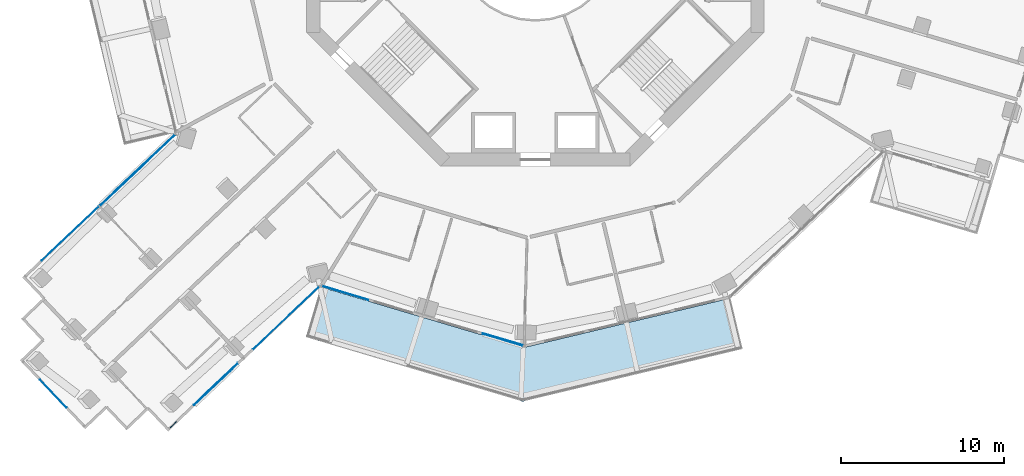
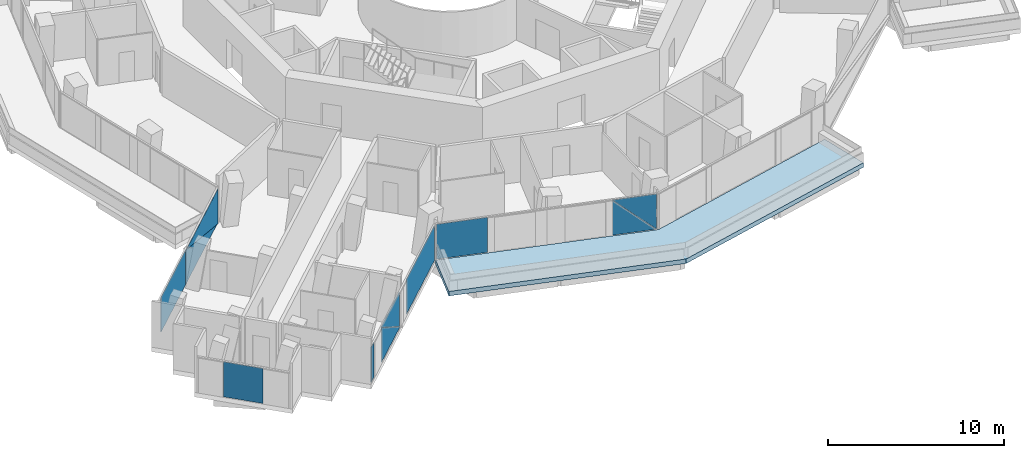
# One storey, part 13 of 27: 11 plates, 1 slab, 4 elements without a shape of their own.
"""IFC4 building model written with IfcOpenShell, lengths in metres."""

from ifc_helpers import new_model, si_unit, direction, frame, origin, origin_2d, place, context, subcontext, project, spatial, polyline, rectangle, outline, extrude, material, layer, layer_set, type_object, element, aggregate, save


model = new_model("IFC4")

# Units and contexts
model_context = context("Model", 3, precision=1e-05, world=origin(), true_north=direction((0.0, 1.0)))
body_context = subcontext(model_context, "Body", "Model", "MODEL_VIEW")
ifc_project = project(units=[si_unit("LENGTHUNIT", "METRE"), si_unit("AREAUNIT", "SQUARE_METRE"), si_unit("VOLUMEUNIT", "CUBIC_METRE"), si_unit("PLANEANGLEUNIT", "RADIAN"), si_unit("MASSUNIT", "GRAM", prefix="KILO")], contexts=[model_context])

# Site, building, storey
site_placement = place(None, origin())
site = spatial("IfcSite", under=ifc_project, at=site_placement, CompositionType="ELEMENT")
building_placement = place(site_placement, origin())
building = spatial("IfcBuilding", under=site, at=building_placement, Name="Verdalira Terraces Hotel", CompositionType="ELEMENT")
storey_placement = place(building_placement, frame((0.0, 0.0, 89.5)))
storey = spatial("IfcBuildingStorey", under=building, at=storey_placement, Name="L20", CompositionType="ELEMENT", Elevation=89.5)

# Slab
ifc_material_1 = material(Name="Precast concrete C40/50", Category="concrete")
ifc_layer_1 = layer(ifc_material_1, 0.31005859375)
ifc_layer_set_1 = layer_set([ifc_layer_1], Name="Balcony deck 310")
slab_type = type_object("IfcSlabType", Name="Balcony deck 310", PredefinedType="FLOOR", material=ifc_layer_set_1)
slab_placement = place(storey_placement, frame((0.0, 0.0, -0.310059)))
element("IfcSlab", 1, at=slab_placement, inside=storey, type_object=slab_type, Name="Balcony deck", PredefinedType="FLOOR", context=body_context, shape_type="SweptSolid", body=[
    extrude(outline(polyline([(-0.773926, -28.416504), (12.704102, -25.195557), (11.960205, -22.083252), (-0.683594, -25.104736), (-13.144531, -21.399414), (-14.056641, -24.466797), (-0.773926, -28.416504)])), origin(), (0.0, 0.0, 1.0), 0.310059),
])

# Curtain wall, plates
ifc_material_2 = material(Name="Clear glass", Category="glass")
ifc_layer_2 = layer(ifc_material_2, 0.14990234375)
ifc_layer_set_2 = layer_set([ifc_layer_2], Name="CW1 curtain wall")
curtain_wall_type_1 = type_object("IfcCurtainWallType", Name="CW1 curtain wall", PredefinedType="NOTDEFINED", material=ifc_layer_set_2)
curtain_wall_1_placement = place(storey_placement, origin())
curtain_wall_1 = element("IfcCurtainWall", 2, at=curtain_wall_1_placement, inside=storey, type_object=curtain_wall_type_1, Name="CW1 curtain wall L20 edge 25", PredefinedType="NOTDEFINED")
ifc_material_3 = material(Name="Clear glass", Category="glass")
ifc_layer_3 = layer(ifc_material_3, 0.028076171875)
ifc_layer_set_3 = layer_set([ifc_layer_3], Name="CW1 glass unit 28")
plate_type_1 = type_object("IfcPlateType", Name="CW1 glass unit 28", PredefinedType="CURTAIN_PANEL", material=ifc_layer_set_3)
plate_1_placement = place(storey_placement, frame((-11.644531, -21.767334, 0.0), z_axis=(0.0, 0.0, 1.0), x_axis=(0.958521789, -0.285019262, 0.0)))
plate_1 = element("IfcPlate", 3, at=plate_1_placement, type_object=plate_type_1, Name="CW1 glass unit", PredefinedType="CURTAIN_PANEL", context=body_context, shape_type="SweptSolid", body=[
    extrude(rectangle(XDim=2.965088, YDim=0.028076, at=origin_2d()), origin(), (0.0, 0.0, 1.0), 2.425049),
])
plate_2_placement = place(storey_placement, frame((-1.983398, -24.625488, 1.212402), z_axis=(-0.285019262, -0.958521789, 0.0), x_axis=(0.958521789, -0.285019262, 0.0)))
plate_2 = element("IfcPlate", 4, at=plate_2_placement, type_object=plate_type_1, Name="CW1 glass unit", PredefinedType="CURTAIN_PANEL", context=body_context, shape_type="SweptSolid", body=[
    extrude(outline(polyline([(-1.282227, -1.212402), (1.282227, -1.212402), (-1.282227, 1.212402), (-1.282227, -1.212402)])), origin(), (0.0, 0.0, 1.0), 0.028076),
])
plate_3_placement = place(storey_placement, frame((-1.975098, -24.597656, 1.212402), z_axis=(-0.285019262, -0.958521789, 0.0), x_axis=(0.958521789, -0.285019262, 0.0)))
plate_3 = element("IfcPlate", 5, at=plate_3_placement, type_object=plate_type_1, Name="CW1 glass unit", PredefinedType="CURTAIN_PANEL", context=body_context, shape_type="SweptSolid", body=[
    extrude(outline(polyline([(1.282227, -1.212402), (1.282227, 1.212402), (-1.282227, 1.212402), (1.282227, -1.212402)])), origin(), (0.0, 0.0, 1.0), 0.028076),
])
aggregate(curtain_wall_1, [plate_1, plate_2, plate_3])

ifc_material_4 = material(Name="Clear glass", Category="glass")
ifc_layer_4 = layer(ifc_material_4, 0.14990234375)
ifc_layer_set_4 = layer_set([ifc_layer_4], Name="CW2 curtain wall")
curtain_wall_type_2 = type_object("IfcCurtainWallType", Name="CW2 curtain wall", PredefinedType="NOTDEFINED", material=ifc_layer_set_4)
curtain_wall_2_placement = place(storey_placement, origin())
curtain_wall_2 = element("IfcCurtainWall", 6, at=curtain_wall_2_placement, inside=storey, type_object=curtain_wall_type_2, Name="CW2 curtain wall L20 edge 14", PredefinedType="NOTDEFINED")
ifc_material_5 = material(Name="Clear glass", Category="glass")
ifc_layer_5 = layer(ifc_material_5, 0.031982421875)
ifc_layer_set_5 = layer_set([ifc_layer_5], Name="CW2 glass unit 32")
plate_type_2 = type_object("IfcPlateType", Name="CW2 glass unit 32", PredefinedType="CURTAIN_PANEL", material=ifc_layer_set_5)
plate_4_placement = place(storey_placement, frame((-24.368652, -14.25, 1.212402), z_axis=(-0.687594588, 0.726094816, 0.0), x_axis=(-0.726094816, -0.687594588, 0.0)))
plate_4 = element("IfcPlate", 7, at=plate_4_placement, type_object=plate_type_2, Name="CW2 glass unit", PredefinedType="CURTAIN_PANEL", context=body_context, shape_type="SweptSolid", body=[
    extrude(outline(polyline([(-3.163574, -1.212402), (3.163574, -1.212402), (3.163574, 1.212402), (-3.163574, -1.212402)])), origin(), (0.0, 0.0, 1.0), 0.031982),
])
plate_5_placement = place(storey_placement, frame((-24.345947, -14.273926, 1.212402), z_axis=(-0.687594588, 0.726094816, 0.0), x_axis=(-0.726094816, -0.687594588, 0.0)))
plate_5 = element("IfcPlate", 8, at=plate_5_placement, type_object=plate_type_2, Name="CW2 glass unit", PredefinedType="CURTAIN_PANEL", context=body_context, shape_type="SweptSolid", body=[
    extrude(outline(polyline([(-3.163574, -1.212402), (3.163574, 1.212402), (-3.163574, 1.212402), (-3.163574, -1.212402)])), origin(), (0.0, 0.0, 1.0), 0.031982),
])
plate_6_placement = place(storey_placement, frame((-28.480469, -18.121582, 0.0), z_axis=(0.0, 0.0, 1.0), x_axis=(-0.726094816, -0.687594588, 0.0)))
plate_6 = element("IfcPlate", 9, at=plate_6_placement, type_object=plate_type_2, Name="CW2 glass unit", PredefinedType="CURTAIN_PANEL", context=body_context, shape_type="SweptSolid", body=[
    extrude(rectangle(XDim=4.828369, YDim=0.031982, at=origin_2d()), origin(), (0.0, 0.0, 1.0), 2.425049),
])
aggregate(curtain_wall_2, [plate_4, plate_5, plate_6])

curtain_wall_3_placement = place(storey_placement, origin())
curtain_wall_3 = element("IfcCurtainWall", 10, at=curtain_wall_3_placement, inside=storey, type_object=curtain_wall_type_2, Name="CW2 curtain wall L20 edge 24", PredefinedType="NOTDEFINED")
plate_7_placement = place(storey_placement, frame((-22.174072, -29.846924, 0.0), z_axis=(0.0, 0.0, 1.0), x_axis=(0.726094816, 0.687594588, 0.0)))
plate_7 = element("IfcPlate", 11, at=plate_7_placement, type_object=plate_type_2, Name="CW2 glass unit", PredefinedType="CURTAIN_PANEL", context=body_context, shape_type="SweptSolid", body=[
    extrude(rectangle(XDim=0.560059, YDim=0.031982, at=origin_2d()), origin(), (0.0, 0.0, 1.0), 2.425049),
])
plate_8_placement = place(storey_placement, frame((-19.556396, -27.346191, 1.212402), z_axis=(0.687594588, -0.726094816, 0.0), x_axis=(0.726094816, 0.687594588, 0.0)))
plate_8 = element("IfcPlate", 12, at=plate_8_placement, type_object=plate_type_2, Name="CW2 glass unit", PredefinedType="CURTAIN_PANEL", context=body_context, shape_type="SweptSolid", body=[
    extrude(outline(polyline([(-1.862305, -1.212402), (1.862305, -1.212402), (-1.862305, 1.212402), (-1.862305, -1.212402)])), origin(), (0.0, 0.0, 1.0), 0.031982),
])
plate_9_placement = place(storey_placement, frame((-19.579102, -27.322266, 1.212402), z_axis=(0.687594588, -0.726094816, 0.0), x_axis=(0.726094816, 0.687594588, 0.0)))
plate_9 = element("IfcPlate", 13, at=plate_9_placement, type_object=plate_type_2, Name="CW2 glass unit", PredefinedType="CURTAIN_PANEL", context=body_context, shape_type="SweptSolid", body=[
    extrude(outline(polyline([(1.862305, -1.212402), (1.862305, 1.212402), (-1.862305, 1.212402), (1.862305, -1.212402)])), origin(), (0.0, 0.0, 1.0), 0.031982),
])
plate_10_placement = place(storey_placement, frame((-15.272705, -23.311523, 0.0), z_axis=(0.0, 0.0, 1.0), x_axis=(0.726094816, 0.687594588, 0.0)))
plate_10 = element("IfcPlate", 14, at=plate_10_placement, type_object=plate_type_2, Name="CW2 glass unit", PredefinedType="CURTAIN_PANEL", context=body_context, shape_type="SweptSolid", body=[
    extrude(rectangle(XDim=5.579834, YDim=0.031982, at=origin_2d()), origin(), (0.0, 0.0, 1.0), 2.425049),
])
aggregate(curtain_wall_3, [plate_7, plate_8, plate_9, plate_10])

# Curtain wall, plate
ifc_material_6 = material(Name="Clear glass", Category="glass")
ifc_layer_6 = layer(ifc_material_6, 0.14990234375)
ifc_layer_set_6 = layer_set([ifc_layer_6], Name="CW3 curtain wall")
curtain_wall_type_3 = type_object("IfcCurtainWallType", Name="CW3 curtain wall", PredefinedType="NOTDEFINED", material=ifc_layer_set_6)
curtain_wall_4_placement = place(storey_placement, origin())
curtain_wall_4 = element("IfcCurtainWall", 15, at=curtain_wall_4_placement, inside=storey, type_object=curtain_wall_type_3, Name="CW3 curtain wall L20 edge 19", PredefinedType="NOTDEFINED")
ifc_material_7 = material(Name="Clear glass", Category="glass")
ifc_layer_7 = layer(ifc_material_7, 0.035888671875)
ifc_layer_set_7 = layer_set([ifc_layer_7], Name="CW3 glass unit 36")
plate_type_3 = type_object("IfcPlateType", Name="CW3 glass unit 36", PredefinedType="CURTAIN_PANEL", material=ifc_layer_set_7)
plate_11_placement = place(storey_placement, frame((-29.530273, -27.932617, 0.0), z_axis=(0.0, 0.0, 1.0), x_axis=(0.687594588, -0.726094816, 0.0)))
plate_11 = element("IfcPlate", 16, at=plate_11_placement, type_object=plate_type_3, Name="CW3 glass unit", PredefinedType="CURTAIN_PANEL", context=body_context, shape_type="SweptSolid", body=[
    extrude(rectangle(XDim=2.345947, YDim=0.035889, at=origin_2d()), origin(), (0.0, 0.0, 1.0), 2.425049),
])
aggregate(curtain_wall_4, [plate_11])

save(model, "model.ifc")
